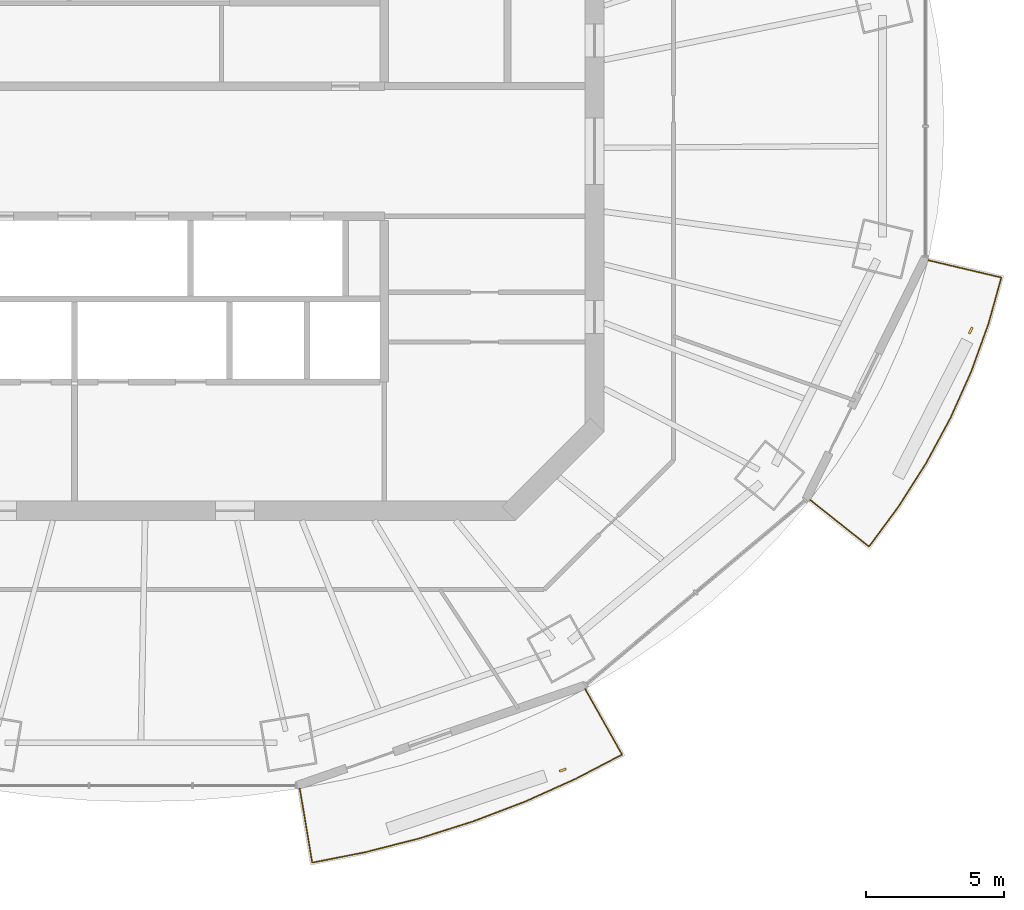
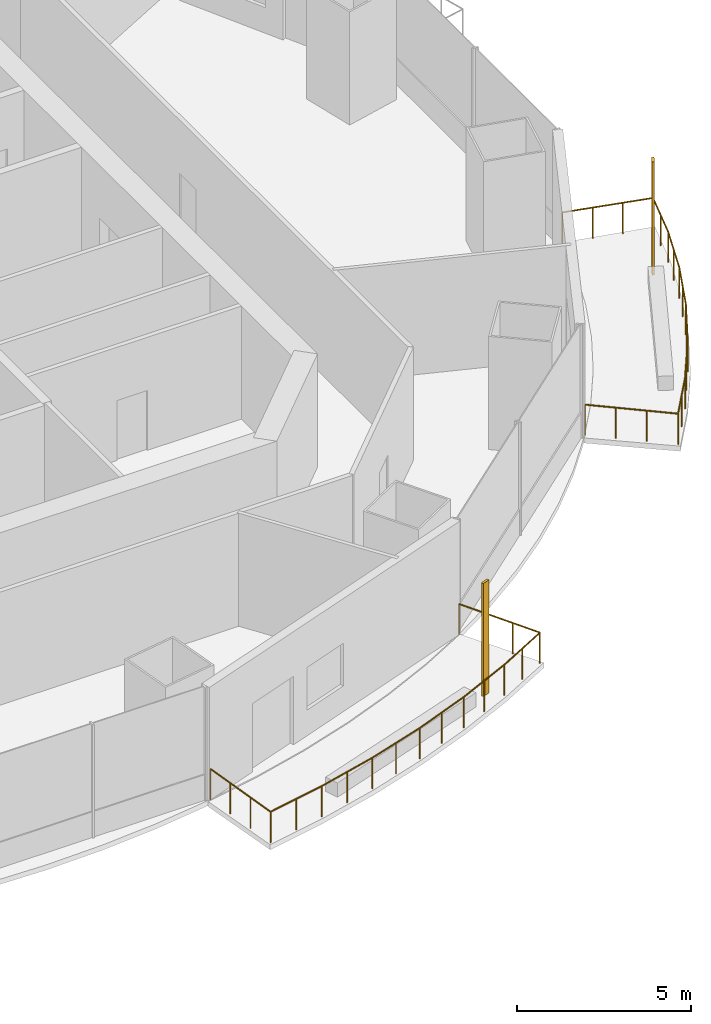
# One storey, part 13 of 16: 2 railings, 2 shading devices.
"""IFC4 building model written with IfcOpenShell, lengths in metres."""

from ifc_helpers import new_model, si_unit, direction, frame, origin, origin_2d, place, context, subcontext, project, spatial, rectangle, circle, extrude, material, material_profile, profile_set, type_object, element, save


model = new_model("IFC4")

# Units and contexts
model_context = context("Model", 3, precision=1e-05, world=origin(), true_north=direction((0.0, 1.0)))
body_context = subcontext(model_context, "Body", "Model", "MODEL_VIEW")
ifc_project = project(units=[si_unit("LENGTHUNIT", "METRE"), si_unit("AREAUNIT", "SQUARE_METRE"), si_unit("VOLUMEUNIT", "CUBIC_METRE"), si_unit("PLANEANGLEUNIT", "RADIAN"), si_unit("MASSUNIT", "GRAM", prefix="KILO")], contexts=[model_context])

# Site, building, storey
site_placement = place(None, origin())
site = spatial("IfcSite", under=ifc_project, at=site_placement, CompositionType="ELEMENT")
building_placement = place(site_placement, origin())
building = spatial("IfcBuilding", under=site, at=building_placement, Name="Marenthal Gate Tower", CompositionType="ELEMENT")
storey_placement = place(building_placement, frame((0.0, 0.0, 292.800048828125)))
storey = spatial("IfcBuildingStorey", under=building, at=storey_placement, Name="L65", CompositionType="ELEMENT", Elevation=292.800048828125)

# Railings
ifc_material_1 = material(Name="Stainless steel", Category="steel")
railing_type = type_object("IfcRailingType", Name="Balcony guard 1100", PredefinedType="GUARDRAIL", material=ifc_material_1)
railing_1_placement = place(storey_placement, frame((15.662841796875, -19.4462890625, 0.0)))
element("IfcRailing", 1, at=railing_1_placement, inside=storey, type_object=railing_type, Name="Balcony guard L65 bay 13", PredefinedType="GUARDRAIL", context=body_context, shape_type="SweptSolid", body=[
    extrude(circle(Radius=0.02392578125, at=origin_2d()), frame((0.0, 0.0, 1.076171875), z_axis=(0.490216651265, -0.871476324383, -0.014719064593), x_axis=(0.871570742774, 0.490269762825, 0.0)), (0.0, 0.0, 1.0), 2.72021484375),
    extrude(circle(Radius=0.02392578125, at=origin_2d()), frame((1.33349609375, -2.37060546875, 1.0361328125), z_axis=(-0.886680853455, -0.46238194614, 0.0), x_axis=(0.46238194614, -0.886680853455, 0.0)), (0.0, 0.0, 1.0), 1.904052734375),
    extrude(circle(Radius=0.02392578125, at=origin_2d()), frame((-0.354736328125, -3.2509765625, 1.0361328125), z_axis=(-0.912074652347, -0.41002418044, 0.0), x_axis=(0.41002418044, -0.912074652347, 0.0)), (0.0, 0.0, 1.0), 1.99755859375),
    extrude(circle(Radius=0.02392578125, at=origin_2d()), frame((-2.1767578125, -4.070068359375, 1.0361328125), z_axis=(-0.934433846475, -0.356136752614, 0.0), x_axis=(0.356136752614, -0.934433846475, 0.0)), (0.0, 0.0, 1.0), 2.010009765625),
    extrude(circle(Radius=0.02392578125, at=origin_2d()), frame((-4.054931640625, -4.785888671875, 1.0361328125), z_axis=(-0.953335850503, -0.301911835054, 0.0), x_axis=(0.301911835054, -0.953335850503, 0.0)), (0.0, 0.0, 1.0), 2.020751953125),
    extrude(circle(Radius=0.02392578125, at=origin_2d()), frame((-5.9814453125, -5.39599609375, 1.0361328125), z_axis=(-0.968956946338, -0.24722952118, 0.0), x_axis=(0.24722952118, -0.968956946338, 0.0)), (0.0, 0.0, 1.0), 2.0302734375),
    extrude(circle(Radius=0.02392578125, at=origin_2d()), frame((-7.94873046875, -5.89794921875, 1.0361328125), z_axis=(-0.981095216908, -0.193525645226, 0.0), x_axis=(0.193525645226, -0.981095216908, 0.0)), (0.0, 0.0, 1.0), 1.9580078125),
    extrude(circle(Radius=0.02392578125, at=origin_2d()), frame((-9.86962890625, -6.27685546875, 1.0361328125), z_axis=(-0.16513793129, 0.986160646201, 0.014718815615), x_axis=(-0.986267486225, -0.165155822229, 0.0)), (0.0, 0.0, 1.0), 2.72021484375),
    extrude(circle(Radius=0.02099609375, at=origin_2d()), origin(), (0.0, 0.0, 1.0), 1.052001953125),
    extrude(circle(Radius=0.02099609375, at=origin_2d()), frame((0.444580078125, -0.790283203125, -0.013427734375)), (0.0, 0.0, 1.0), 1.052001953125),
    extrude(circle(Radius=0.02099609375, at=origin_2d()), frame((0.888916015625, -1.580322265625, -0.026611328125)), (0.0, 0.0, 1.0), 1.052001953125),
    extrude(circle(Radius=0.02099609375, at=origin_2d()), frame((1.33349609375, -2.37060546875, -0.0400390625)), (0.0, 0.0, 1.0), 1.052001953125),
    extrude(circle(Radius=0.02099609375, at=origin_2d()), frame((0.4892578125, -2.810791015625, -0.0400390625)), (0.0, 0.0, 1.0), 1.052001953125),
    extrude(circle(Radius=0.02099609375, at=origin_2d()), frame((-0.354736328125, -3.2509765625, -0.0400390625)), (0.0, 0.0, 1.0), 1.052001953125),
    extrude(circle(Radius=0.02099609375, at=origin_2d()), frame((-1.265625, -3.66064453125, -0.0400390625)), (0.0, 0.0, 1.0), 1.052001953125),
    extrude(circle(Radius=0.02099609375, at=origin_2d()), frame((-2.1767578125, -4.070068359375, -0.0400390625)), (0.0, 0.0, 1.0), 1.052001953125),
    extrude(circle(Radius=0.02099609375, at=origin_2d()), frame((-3.11572265625, -4.427978515625, -0.0400390625)), (0.0, 0.0, 1.0), 1.052001953125),
    extrude(circle(Radius=0.02099609375, at=origin_2d()), frame((-4.054931640625, -4.785888671875, -0.0400390625)), (0.0, 0.0, 1.0), 1.052001953125),
    extrude(circle(Radius=0.02099609375, at=origin_2d()), frame((-5.01806640625, -5.0908203125, -0.0400390625)), (0.0, 0.0, 1.0), 1.052001953125),
    extrude(circle(Radius=0.02099609375, at=origin_2d()), frame((-5.9814453125, -5.39599609375, -0.0400390625)), (0.0, 0.0, 1.0), 1.052001953125),
    extrude(circle(Radius=0.02099609375, at=origin_2d()), frame((-6.965087890625, -5.64697265625, -0.0400390625)), (0.0, 0.0, 1.0), 1.052001953125),
    extrude(circle(Radius=0.02099609375, at=origin_2d()), frame((-7.94873046875, -5.89794921875, -0.0400390625)), (0.0, 0.0, 1.0), 1.052001953125),
    extrude(circle(Radius=0.02099609375, at=origin_2d()), frame((-8.9091796875, -6.08740234375, -0.0400390625)), (0.0, 0.0, 1.0), 1.052001953125),
    extrude(circle(Radius=0.02099609375, at=origin_2d()), frame((-9.86962890625, -6.27685546875, -0.0400390625)), (0.0, 0.0, 1.0), 1.052001953125),
    extrude(circle(Radius=0.02099609375, at=origin_2d()), frame((-10.019287109375, -5.382568359375, -0.026611328125)), (0.0, 0.0, 1.0), 1.052001953125),
    extrude(circle(Radius=0.02099609375, at=origin_2d()), frame((-10.169189453125, -4.488525390625, -0.013427734375)), (0.0, 0.0, 1.0), 1.052001953125),
    extrude(circle(Radius=0.02099609375, at=origin_2d()), frame((-10.31884765625, -3.59423828125, 0.0)), (0.0, 0.0, 1.0), 1.052001953125),
])
railing_2_placement = place(storey_placement, frame((28.0615234375, -3.942626953125, 0.0)))
element("IfcRailing", 2, at=railing_2_placement, inside=storey, type_object=railing_type, Name="Balcony guard L65 bay 15", PredefinedType="GUARDRAIL", context=body_context, shape_type="SweptSolid", body=[
    extrude(circle(Radius=0.02392578125, at=origin_2d()), frame((0.0, 0.0, 1.076171875), z_axis=(0.973117172157, -0.229839811666, -0.014718363574), x_axis=(0.229864710837, 0.973222592582, 0.0)), (0.0, 0.0, 1.0), 2.720458984375),
    extrude(circle(Radius=0.02392578125, at=origin_2d()), frame((2.647216796875, -0.625244140625, 1.0361328125), z_axis=(-0.268792920524, -0.963197988929, 0.0), x_axis=(0.963197988929, -0.268792920524, 0.0)), (0.0, 0.0, 1.0), 1.7421875),
    extrude(circle(Radius=0.02392578125, at=origin_2d()), frame((2.178955078125, -2.30322265625, 1.0361328125), z_axis=(-0.339224848664, -0.94070532158, 0.0), x_axis=(0.94070532158, -0.339224848664, 0.0)), (0.0, 0.0, 1.0), 1.830322265625),
    extrude(circle(Radius=0.02392578125, at=origin_2d()), frame((1.55810546875, -4.02490234375, 1.0361328125), z_axis=(-0.408427160426, -0.912790915066, 0.0), x_axis=(0.912790915066, -0.408427160426, 0.0)), (0.0, 0.0, 1.0), 1.83984375),
    extrude(circle(Radius=0.02392578125, at=origin_2d()), frame((0.806640625, -5.704345703125, 1.0361328125), z_axis=(-0.474178476771, -0.880428743379, 0.0), x_axis=(0.880428743379, -0.474178476771, 0.0)), (0.0, 0.0, 1.0), 1.85107421875),
    extrude(circle(Radius=0.02392578125, at=origin_2d()), frame((-0.071044921875, -7.333984375, 1.0361328125), z_axis=(-0.536341470097, -0.844001082614, 0.0), x_axis=(0.844001082614, -0.536341470097, 0.0)), (0.0, 0.0, 1.0), 1.864013671875),
    extrude(circle(Radius=0.02392578125, at=origin_2d()), frame((-1.07080078125, -8.9072265625, 1.0361328125), z_axis=(-0.593175870863, -0.805072907398, 0.0), x_axis=(0.805072907398, -0.593175870863, 0.0)), (0.0, 0.0, 1.0), 1.79736328125),
    extrude(circle(Radius=0.02392578125, at=origin_2d()), frame((-2.136962890625, -10.354248046875, 1.0361328125), z_axis=(-0.783212380728, 0.621580033106, 0.014718325936), x_axis=(-0.621647370214, -0.783297227817, 0.0)), (0.0, 0.0, 1.0), 2.720458984375),
    extrude(circle(Radius=0.02099609375, at=origin_2d()), origin(), (0.0, 0.0, 1.0), 1.052001953125),
    extrude(circle(Radius=0.02099609375, at=origin_2d()), frame((0.88232421875, -0.20849609375, -0.013427734375)), (0.0, 0.0, 1.0), 1.052001953125),
    extrude(circle(Radius=0.02099609375, at=origin_2d()), frame((1.764892578125, -0.416748046875, -0.026611328125)), (0.0, 0.0, 1.0), 1.052001953125),
    extrude(circle(Radius=0.02099609375, at=origin_2d()), frame((2.647216796875, -0.625244140625, -0.0400390625)), (0.0, 0.0, 1.0), 1.052001953125),
    extrude(circle(Radius=0.02099609375, at=origin_2d()), frame((2.4130859375, -1.46435546875, -0.0400390625)), (0.0, 0.0, 1.0), 1.052001953125),
    extrude(circle(Radius=0.02099609375, at=origin_2d()), frame((2.178955078125, -2.30322265625, -0.0400390625)), (0.0, 0.0, 1.0), 1.052001953125),
    extrude(circle(Radius=0.02099609375, at=origin_2d()), frame((1.86865234375, -3.1640625, -0.0400390625)), (0.0, 0.0, 1.0), 1.052001953125),
    extrude(circle(Radius=0.02099609375, at=origin_2d()), frame((1.55810546875, -4.02490234375, -0.0400390625)), (0.0, 0.0, 1.0), 1.052001953125),
    extrude(circle(Radius=0.02099609375, at=origin_2d()), frame((1.182373046875, -4.86474609375, -0.0400390625)), (0.0, 0.0, 1.0), 1.052001953125),
    extrude(circle(Radius=0.02099609375, at=origin_2d()), frame((0.806640625, -5.704345703125, -0.0400390625)), (0.0, 0.0, 1.0), 1.052001953125),
    extrude(circle(Radius=0.02099609375, at=origin_2d()), frame((0.36767578125, -6.51904296875, -0.0400390625)), (0.0, 0.0, 1.0), 1.052001953125),
    extrude(circle(Radius=0.02099609375, at=origin_2d()), frame((-0.071044921875, -7.333984375, -0.0400390625)), (0.0, 0.0, 1.0), 1.052001953125),
    extrude(circle(Radius=0.02099609375, at=origin_2d()), frame((-0.57080078125, -8.12060546875, -0.0400390625)), (0.0, 0.0, 1.0), 1.052001953125),
    extrude(circle(Radius=0.02099609375, at=origin_2d()), frame((-1.07080078125, -8.9072265625, -0.0400390625)), (0.0, 0.0, 1.0), 1.052001953125),
    extrude(circle(Radius=0.02099609375, at=origin_2d()), frame((-1.60400390625, -9.630859375, -0.0400390625)), (0.0, 0.0, 1.0), 1.052001953125),
    extrude(circle(Radius=0.02099609375, at=origin_2d()), frame((-2.136962890625, -10.354248046875, -0.0400390625)), (0.0, 0.0, 1.0), 1.052001953125),
    extrude(circle(Radius=0.02099609375, at=origin_2d()), frame((-2.84716796875, -9.79052734375, -0.026611328125)), (0.0, 0.0, 1.0), 1.052001953125),
    extrude(circle(Radius=0.02099609375, at=origin_2d()), frame((-3.557373046875, -9.22705078125, -0.013427734375)), (0.0, 0.0, 1.0), 1.052001953125),
    extrude(circle(Radius=0.02099609375, at=origin_2d()), frame((-4.267578125, -8.663330078125, 0.0)), (0.0, 0.0, 1.0), 1.052001953125),
])

# Shading devices
ifc_material_2 = material(Name="Terracotta", Category="masonry")
ifc_material_profile = material_profile(ifc_material_2, rectangle(XDim=0.25, YDim=0.080078125, at=origin_2d()), Name="Terracotta baguette 250x80")
ifc_profile_set = profile_set([ifc_material_profile], Name="Terracotta")
shading_device_type = type_object("IfcShadingDeviceType", Name="Terracotta BAGUETTE SCREEN 250x80", PredefinedType="USERDEFINED", material=ifc_profile_set)
for number, where, z_axis, x_axis, name in (
    (3, (14.853515625, -22.376708984375, -0.0400390625), (0.0, 0.0, 1.0), (0.944304873933, 0.329071884345, 0.0), "Terracotta BAGUETTE L65 bay 13R"),
    (4, (29.602294921875, -6.4853515625, -0.0400390625), (0.0, 0.0, 1.0), (0.441711416968, 0.897157190307, 0.0), "Terracotta BAGUETTE L65 bay 15R"),
):
    element("IfcShadingDevice", number, at=place(storey_placement, frame(where, z_axis=z_axis, x_axis=x_axis)), inside=storey, type_object=shading_device_type, Name=name, ObjectType="BAGUETTE SCREEN", PredefinedType="USERDEFINED", context=body_context, shape_type="SweptSolid", body=[
        extrude(rectangle(XDim=0.25, YDim=0.080078125, at=origin_2d()), origin(), (0.0, 0.0, 1.0), 3.969970703125),
    ])

save(model, "model.ifc")
